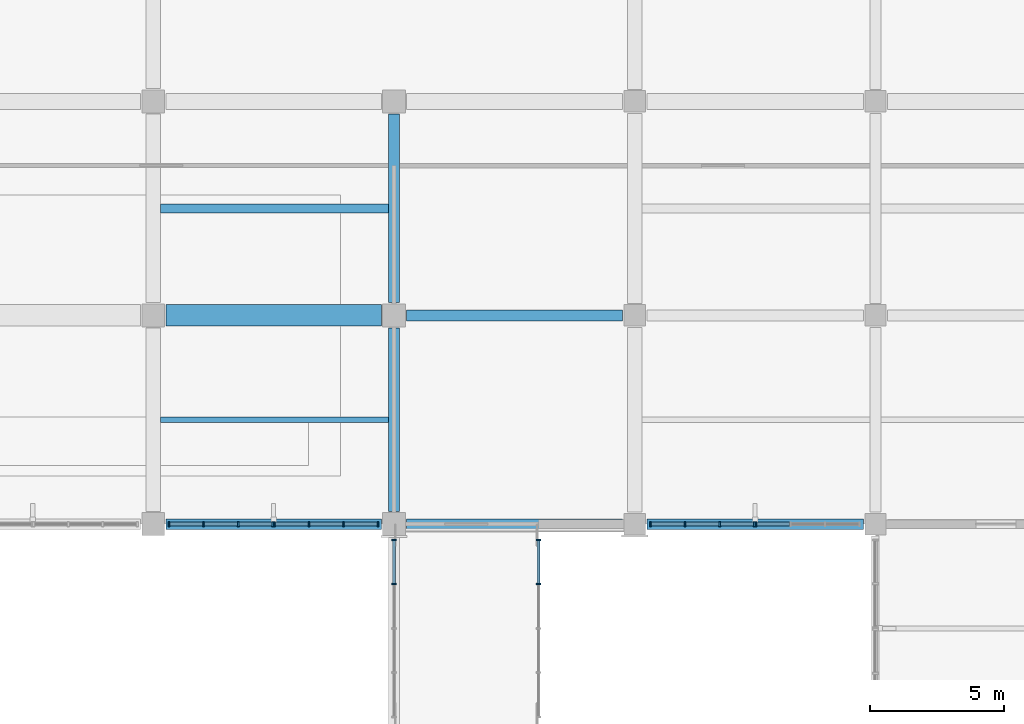
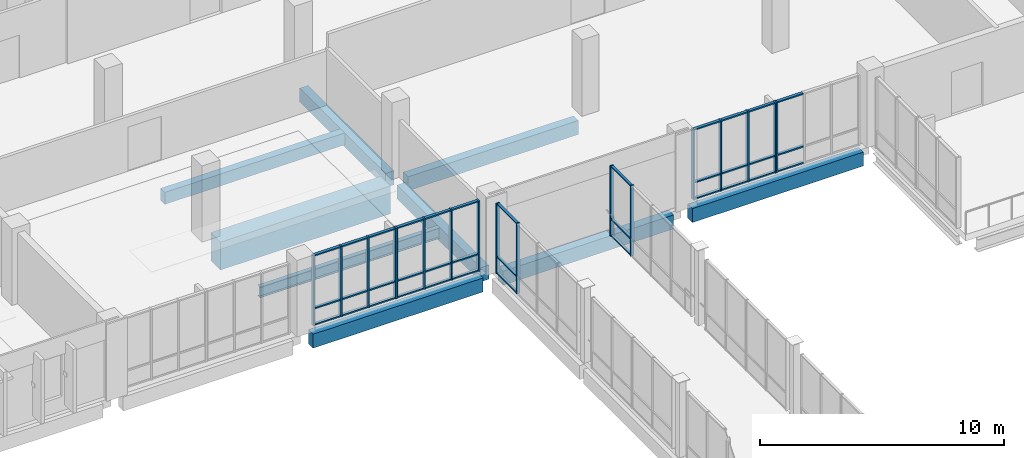
# One storey, part 33 of 85: 53 members, 9 beams, 6 elements without a shape of their own.
"""IFC4 building model written with IfcOpenShell, lengths in metres."""

from ifc_helpers import new_model, si_unit, direction, frame, origin, origin_2d, place, context, subcontext, project, spatial, rectangle, i_section, extrude, material, material_profile, profile_set, type_object, element, aggregate, save


model = new_model("IFC4")

# Units and contexts
model_context = context("Model", 3, precision=1e-05, world=origin(), true_north=direction((0.0, 1.0)))
body_context = subcontext(model_context, "Body", "Model", "MODEL_VIEW")
ifc_project = project(units=[si_unit("LENGTHUNIT", "METRE"), si_unit("AREAUNIT", "SQUARE_METRE"), si_unit("VOLUMEUNIT", "CUBIC_METRE"), si_unit("PLANEANGLEUNIT", "RADIAN"), si_unit("MASSUNIT", "GRAM", prefix="KILO")], contexts=[model_context])

# Site, building, storey
site_placement = place(None, origin())
site = spatial("IfcSite", under=ifc_project, at=site_placement, CompositionType="ELEMENT")
building_placement = place(site_placement, origin())
building = spatial("IfcBuilding", under=site, at=building_placement, Name="Vervanel Yard Central Library", CompositionType="ELEMENT")
storey_placement = place(building_placement, frame((0.0, 0.0, 5.10009765625)))
storey = spatial("IfcBuildingStorey", under=building, at=storey_placement, Name="L01", CompositionType="ELEMENT", Elevation=5.10009765625)

# Curtain wall, members
ifc_material_1 = material(Name="Thermally broken anodized aluminium 6063-T6", Category="aluminium")
curtain_wall_type_1 = type_object("IfcCurtainWallType", Name="Boulevard Cafe & Bridge Curtain Wall", PredefinedType="NOTDEFINED", material=ifc_material_1)
curtain_wall_1_placement = place(storey_placement, origin())
curtain_wall_1 = element("IfcCurtainWall", 1, at=curtain_wall_1_placement, inside=storey, type_object=curtain_wall_type_1, Name="L01 Boulevard Cafe & Bridge Curtain Wall CWR-L01-183", PredefinedType="NOTDEFINED")
ifc_material_profile_1 = material_profile(ifc_material_1, rectangle(XDim=0.06005859375, YDim=0.159912109375, at=origin_2d()), Name="ALU 60x160", Category="aluminium")
ifc_profile_set_1 = profile_set([ifc_material_profile_1], Name="Thermally broken anodized aluminium 6063-T6")
member_type_1 = type_object("IfcMemberType", Name="Bridge & Courtyard Mullion 60x160", PredefinedType="MULLION", material=ifc_profile_set_1)
member_1_placement = place(storey_placement, frame((72.0, 79.955078125, 0.0), z_axis=(0.0, 0.0, 1.0), x_axis=(0.0, 1.0, 0.0)))
member_1 = element("IfcMember", 2, at=member_1_placement, type_object=member_type_1, Name="CWR-L01-183 Mullion 4", PredefinedType="MULLION", context=body_context, shape_type="SweptSolid", body=[
    extrude(rectangle(XDim=0.06005859375, YDim=0.159912109375, at=origin_2d()), origin(), (0.0, 0.0, 1.0), 3.52978515625),
])
member_2_placement = place(storey_placement, frame((72.0, 81.610107421875, 0.0), z_axis=(0.0, 0.0, 1.0), x_axis=(0.0, 1.0, 0.0)))
member_2 = element("IfcMember", 3, at=member_2_placement, type_object=member_type_1, Name="CWR-L01-183 Mullion 5", PredefinedType="MULLION", context=body_context, shape_type="SweptSolid", body=[
    extrude(rectangle(XDim=0.06005859375, YDim=0.159912109375, at=origin_2d()), origin(), (0.0, 0.0, 1.0), 3.52978515625),
])

curtain_wall_2_placement = place(storey_placement, origin())
curtain_wall_2 = element("IfcCurtainWall", 4, at=curtain_wall_2_placement, inside=storey, type_object=curtain_wall_type_1, Name="L01 Boulevard Cafe & Bridge Curtain Wall CWR-L01-191", PredefinedType="NOTDEFINED")
member_3_placement = place(storey_placement, frame((77.39990234375, 79.955078125, 0.0), z_axis=(0.0, 0.0, 1.0), x_axis=(0.0, 1.0, 0.0)))
member_3 = element("IfcMember", 5, at=member_3_placement, type_object=member_type_1, Name="CWR-L01-191 Mullion 4", PredefinedType="MULLION", context=body_context, shape_type="SweptSolid", body=[
    extrude(rectangle(XDim=0.06005859375, YDim=0.159912109375, at=origin_2d()), origin(), (0.0, 0.0, 1.0), 3.52978515625),
])
member_4_placement = place(storey_placement, frame((77.39990234375, 81.610107421875, 0.0), z_axis=(0.0, 0.0, 1.0), x_axis=(0.0, 1.0, 0.0)))
member_4 = element("IfcMember", 6, at=member_4_placement, type_object=member_type_1, Name="CWR-L01-191 Mullion 5", PredefinedType="MULLION", context=body_context, shape_type="SweptSolid", body=[
    extrude(rectangle(XDim=0.06005859375, YDim=0.159912109375, at=origin_2d()), origin(), (0.0, 0.0, 1.0), 3.52978515625),
])

# Member
ifc_material_profile_2 = material_profile(ifc_material_1, rectangle(XDim=0.06005859375, YDim=0.1201171875, at=origin_2d()), Name="ALU 60x120", Category="aluminium")
ifc_profile_set_2 = profile_set([ifc_material_profile_2], Name="Thermally broken anodized aluminium 6063-T6")
member_type_2 = type_object("IfcMemberType", Name="Bridge & Courtyard Transom 60x120", PredefinedType="NOTDEFINED", material=ifc_profile_set_2)
member_5_placement = place(storey_placement, frame((72.0, 79.985107421875, 0.02978515625), z_axis=(0.0, 1.0, 0.0), x_axis=(0.0, 0.0, 1.0)))
member_5 = element("IfcMember", 7, at=member_5_placement, type_object=member_type_2, Name="CWR-L01-183 Transom B4-T1", ObjectType="TRANSOM", PredefinedType="USERDEFINED", context=body_context, shape_type="SweptSolid", body=[
    extrude(rectangle(XDim=0.06005859375, YDim=0.1201171875, at=origin_2d()), origin(), (0.0, 0.0, 1.0), 1.594970703125),
])

member_6_placement = place(storey_placement, frame((72.0, 79.985107421875, 0.849853515625), z_axis=(0.0, 1.0, 0.0), x_axis=(0.0, 0.0, 1.0)))
member_6 = element("IfcMember", 8, at=member_6_placement, type_object=member_type_2, Name="CWR-L01-183 Transom B4-T2", ObjectType="TRANSOM", PredefinedType="USERDEFINED", context=body_context, shape_type="SweptSolid", body=[
    extrude(rectangle(XDim=0.06005859375, YDim=0.1201171875, at=origin_2d()), origin(), (0.0, 0.0, 1.0), 1.594970703125),
])

member_7_placement = place(storey_placement, frame((72.0, 79.985107421875, 3.5), z_axis=(0.0, 1.0, 0.0), x_axis=(0.0, 0.0, 1.0)))
member_7 = element("IfcMember", 9, at=member_7_placement, type_object=member_type_2, Name="CWR-L01-183 Transom B4-T3", ObjectType="TRANSOM", PredefinedType="USERDEFINED", context=body_context, shape_type="SweptSolid", body=[
    extrude(rectangle(XDim=0.06005859375, YDim=0.1201171875, at=origin_2d()), origin(), (0.0, 0.0, 1.0), 1.594970703125),
])

aggregate(curtain_wall_1, [member_1, member_2, member_5, member_6, member_7])

member_8_placement = place(storey_placement, frame((77.39990234375, 79.985107421875, 0.02978515625), z_axis=(0.0, 1.0, 0.0), x_axis=(0.0, 0.0, 1.0)))
member_8 = element("IfcMember", 10, at=member_8_placement, type_object=member_type_2, Name="CWR-L01-191 Transom B4-T1", ObjectType="TRANSOM", PredefinedType="USERDEFINED", context=body_context, shape_type="SweptSolid", body=[
    extrude(rectangle(XDim=0.06005859375, YDim=0.1201171875, at=origin_2d()), origin(), (0.0, 0.0, 1.0), 1.594970703125),
])

member_9_placement = place(storey_placement, frame((77.39990234375, 79.985107421875, 0.849853515625), z_axis=(0.0, 1.0, 0.0), x_axis=(0.0, 0.0, 1.0)))
member_9 = element("IfcMember", 11, at=member_9_placement, type_object=member_type_2, Name="CWR-L01-191 Transom B4-T2", ObjectType="TRANSOM", PredefinedType="USERDEFINED", context=body_context, shape_type="SweptSolid", body=[
    extrude(rectangle(XDim=0.06005859375, YDim=0.1201171875, at=origin_2d()), origin(), (0.0, 0.0, 1.0), 1.594970703125),
])

member_10_placement = place(storey_placement, frame((77.39990234375, 79.985107421875, 3.5), z_axis=(0.0, 1.0, 0.0), x_axis=(0.0, 0.0, 1.0)))
member_10 = element("IfcMember", 12, at=member_10_placement, type_object=member_type_2, Name="CWR-L01-191 Transom B4-T3", ObjectType="TRANSOM", PredefinedType="USERDEFINED", context=body_context, shape_type="SweptSolid", body=[
    extrude(rectangle(XDim=0.06005859375, YDim=0.1201171875, at=origin_2d()), origin(), (0.0, 0.0, 1.0), 1.594970703125),
])

aggregate(curtain_wall_2, [member_3, member_4, member_8, member_9, member_10])

# Beams
ifc_material_2 = material(Name="Concrete C40/50", Category="concrete")
ifc_material_profile_3 = material_profile(ifc_material_2, rectangle(XDim=0.39990234375, YDim=0.699951171875, at=origin_2d()), Name="RC 400x700", Category="concrete")
ifc_profile_set_3 = profile_set([ifc_material_profile_3], Name="Concrete C40/50")
beam_type_1 = type_object("IfcBeamType", Name="Concrete Perimeter Spandrel 400x700", PredefinedType="SPANDREL", material=ifc_profile_set_3)
beam_1_placement = place(storey_placement, frame((63.47509765625, 82.199951171875, -0.655029296875), z_axis=(1.0, 0.0, 0.0), x_axis=(0.0, 1.0, 0.0)))
element("IfcBeam", 13, at=beam_1_placement, inside=storey, type_object=beam_type_1, Name="L01 Girder SP-01 Y=82.2 X=63.0-72.0", PredefinedType="SPANDREL", context=body_context, shape_type="SweptSolid", body=[
    extrude(rectangle(XDim=0.39990234375, YDim=0.699951171875, at=origin_2d()), origin(), (0.0, 0.0, 1.0), 8.0498046875),
])
beam_2_placement = place(storey_placement, frame((72.47509765625, 82.199951171875, -0.655029296875), z_axis=(1.0, 0.0, 0.0), x_axis=(0.0, 1.0, 0.0)))
element("IfcBeam", 14, at=beam_2_placement, inside=storey, type_object=beam_type_1, Name="L01 Girder SP-01 Y=82.2 X=72.0-81.0", PredefinedType="SPANDREL", context=body_context, shape_type="SweptSolid", body=[
    extrude(rectangle(XDim=0.39990234375, YDim=0.699951171875, at=origin_2d()), origin(), (0.0, 0.0, 1.0), 8.074951171875),
])
beam_3_placement = place(storey_placement, frame((81.449951171875, 82.199951171875, -0.655029296875), z_axis=(1.0, 0.0, 0.0), x_axis=(0.0, 1.0, 0.0)))
element("IfcBeam", 15, at=beam_3_placement, inside=storey, type_object=beam_type_1, Name="L01 Girder SP-01 Y=82.2 X=81.0-90.0", PredefinedType="SPANDREL", context=body_context, shape_type="SweptSolid", body=[
    extrude(rectangle(XDim=0.39990234375, YDim=0.699951171875, at=origin_2d()), origin(), (0.0, 0.0, 1.0), 8.10009765625),
])
beam_4_placement = place(storey_placement, frame((72.47509765625, 90.0, -0.655029296875), z_axis=(1.0, 0.0, 0.0), x_axis=(0.0, 1.0, 0.0)))
element("IfcBeam", 16, at=beam_4_placement, inside=storey, type_object=beam_type_1, Name="L01 Girder SP-01 Y=90.0 X=72.0-81.0", PredefinedType="SPANDREL", context=body_context, shape_type="SweptSolid", body=[
    extrude(rectangle(XDim=0.39990234375, YDim=0.699951171875, at=origin_2d()), origin(), (0.0, 0.0, 1.0), 8.074951171875),
])
beam_5_placement = place(storey_placement, frame((72.0, 82.675048828125, -0.655029296875), z_axis=(0.0, 1.0, 0.0), x_axis=(-1.0, 0.0, 0.0)))
element("IfcBeam", 17, at=beam_5_placement, inside=storey, type_object=beam_type_1, Name="L01 Girder SP-01 X=72.0 Y=82.2-90.0", PredefinedType="SPANDREL", context=body_context, shape_type="SweptSolid", body=[
    extrude(rectangle(XDim=0.39990234375, YDim=0.699951171875, at=origin_2d()), origin(), (0.0, 0.0, 1.0), 6.849853515625),
])
beam_6_placement = place(storey_placement, frame((72.0, 90.47509765625, -0.655029296875), z_axis=(0.0, 1.0, 0.0), x_axis=(-1.0, 0.0, 0.0)))
element("IfcBeam", 18, at=beam_6_placement, inside=storey, type_object=beam_type_1, Name="L01 Girder SP-01 X=72.0 Y=90.0-98.0", PredefinedType="SPANDREL", context=body_context, shape_type="SweptSolid", body=[
    extrude(rectangle(XDim=0.39990234375, YDim=0.699951171875, at=origin_2d()), origin(), (0.0, 0.0, 1.0), 7.0498046875),
])
ifc_material_profile_4 = material_profile(ifc_material_2, rectangle(XDim=0.35009765625, YDim=0.60009765625, at=origin_2d()), Name="RC 350x600", Category="concrete")
ifc_profile_set_4 = profile_set([ifc_material_profile_4], Name="Concrete C40/50")
beam_type_2 = type_object("IfcBeamType", Name="Concrete Secondary Joist 350x600", PredefinedType="JOIST", material=ifc_profile_set_4)
beam_7_placement = place(storey_placement, frame((63.27490234375, 94.0, -0.60498046875), z_axis=(1.0, 0.0, 0.0), x_axis=(0.0, 1.0, 0.0)))
element("IfcBeam", 19, at=beam_7_placement, inside=storey, type_object=beam_type_2, Name="L01 Floor Joist CJ-01 Y=94.00 X=63.0-72.0", PredefinedType="JOIST", context=body_context, shape_type="SweptSolid", body=[
    extrude(rectangle(XDim=0.35009765625, YDim=0.60009765625, at=origin_2d()), origin(), (0.0, 0.0, 1.0), 8.525146484375),
])
ifc_material_3 = material(Name="Concrete C45/55", Category="concrete")
ifc_material_profile_5 = material_profile(ifc_material_3, rectangle(XDim=0.800048828125, YDim=1.39990234375, at=origin_2d()), Name="RC 800x1400", Category="concrete")
ifc_profile_set_5 = profile_set([ifc_material_profile_5], Name="Concrete C45/55")
beam_type_3 = type_object("IfcBeamType", Name="Concrete Vault Transfer Girder 800x1400", PredefinedType="BEAM", material=ifc_profile_set_5)
beam_8_placement = place(storey_placement, frame((63.47509765625, 90.0, -1.0), z_axis=(1.0, 0.0, 0.0), x_axis=(0.0, 1.0, 0.0)))
element("IfcBeam", 20, at=beam_8_placement, inside=storey, type_object=beam_type_3, Name="L01 Heavy Stack Girder TG-02-3", PredefinedType="BEAM", context=body_context, shape_type="SweptSolid", body=[
    extrude(rectangle(XDim=0.800048828125, YDim=1.39990234375, at=origin_2d()), origin(), (0.0, 0.0, 1.0), 8.0498046875),
])

# Curtain wall, members
curtain_wall_type_2 = type_object("IfcCurtainWallType", Name="Atrium Courtyard Curtain Wall", PredefinedType="NOTDEFINED", material=ifc_material_1)
curtain_wall_3_placement = place(storey_placement, origin())
curtain_wall_3 = element("IfcCurtainWall", 21, at=curtain_wall_3_placement, inside=storey, type_object=curtain_wall_type_2, Name="L01 Atrium Courtyard Curtain Wall CWR-L01-003", PredefinedType="NOTDEFINED")
ifc_material_profile_6 = material_profile(ifc_material_1, rectangle(XDim=0.06494140625, YDim=0.18994140625, at=origin_2d()), Name="ALU 65x190", Category="aluminium")
ifc_profile_set_6 = profile_set([ifc_material_profile_6], Name="Thermally broken anodized aluminium 6063-T6")
member_type_3 = type_object("IfcMemberType", Name="Curtain Wall Primary Mullion 65x190", PredefinedType="MULLION", material=ifc_profile_set_6)
member_11_placement = place(storey_placement, frame((63.592529296875, 82.199951171875, 0.0), z_axis=(0.0, 0.0, 1.0), x_axis=(1.0, 0.0, 0.0)))
member_11 = element("IfcMember", 22, at=member_11_placement, type_object=member_type_3, Name="CWR-L01-003 Mullion 1", PredefinedType="MULLION", context=body_context, shape_type="SweptSolid", body=[
    extrude(rectangle(XDim=0.06494140625, YDim=0.18994140625, at=origin_2d()), origin(), (0.0, 0.0, 1.0), 3.52978515625),
])
member_12_placement = place(storey_placement, frame((64.88427734375, 82.199951171875, 0.0), z_axis=(0.0, 0.0, 1.0), x_axis=(1.0, 0.0, 0.0)))
member_12 = element("IfcMember", 23, at=member_12_placement, type_object=member_type_3, Name="CWR-L01-003 Mullion 2", PredefinedType="MULLION", context=body_context, shape_type="SweptSolid", body=[
    extrude(rectangle(XDim=0.06494140625, YDim=0.18994140625, at=origin_2d()), origin(), (0.0, 0.0, 1.0), 3.52978515625),
])
member_13_placement = place(storey_placement, frame((66.17578125, 82.199951171875, 0.0), z_axis=(0.0, 0.0, 1.0), x_axis=(1.0, 0.0, 0.0)))
member_13 = element("IfcMember", 24, at=member_13_placement, type_object=member_type_3, Name="CWR-L01-003 Mullion 3", PredefinedType="MULLION", context=body_context, shape_type="SweptSolid", body=[
    extrude(rectangle(XDim=0.06494140625, YDim=0.18994140625, at=origin_2d()), origin(), (0.0, 0.0, 1.0), 3.52978515625),
])
member_14_placement = place(storey_placement, frame((67.467529296875, 82.199951171875, 0.0), z_axis=(0.0, 0.0, 1.0), x_axis=(1.0, 0.0, 0.0)))
member_14 = element("IfcMember", 25, at=member_14_placement, type_object=member_type_3, Name="CWR-L01-003 Mullion 4", PredefinedType="MULLION", context=body_context, shape_type="SweptSolid", body=[
    extrude(rectangle(XDim=0.06494140625, YDim=0.18994140625, at=origin_2d()), origin(), (0.0, 0.0, 1.0), 3.52978515625),
])

curtain_wall_4_placement = place(storey_placement, origin())
curtain_wall_4 = element("IfcCurtainWall", 26, at=curtain_wall_4_placement, inside=storey, type_object=curtain_wall_type_2, Name="L01 Atrium Courtyard Curtain Wall CWR-L01-004", PredefinedType="NOTDEFINED")
member_15_placement = place(storey_placement, frame((67.532470703125, 82.199951171875, 0.0), z_axis=(0.0, 0.0, 1.0), x_axis=(1.0, 0.0, 0.0)))
member_15 = element("IfcMember", 27, at=member_15_placement, type_object=member_type_3, Name="CWR-L01-004 Mullion 1", PredefinedType="MULLION", context=body_context, shape_type="SweptSolid", body=[
    extrude(rectangle(XDim=0.06494140625, YDim=0.18994140625, at=origin_2d()), origin(), (0.0, 0.0, 1.0), 3.52978515625),
])
member_16_placement = place(storey_placement, frame((68.82421875, 82.199951171875, 0.0), z_axis=(0.0, 0.0, 1.0), x_axis=(1.0, 0.0, 0.0)))
member_16 = element("IfcMember", 28, at=member_16_placement, type_object=member_type_3, Name="CWR-L01-004 Mullion 2", PredefinedType="MULLION", context=body_context, shape_type="SweptSolid", body=[
    extrude(rectangle(XDim=0.06494140625, YDim=0.18994140625, at=origin_2d()), origin(), (0.0, 0.0, 1.0), 3.52978515625),
])
member_17_placement = place(storey_placement, frame((70.11572265625, 82.199951171875, 0.0), z_axis=(0.0, 0.0, 1.0), x_axis=(1.0, 0.0, 0.0)))
member_17 = element("IfcMember", 29, at=member_17_placement, type_object=member_type_3, Name="CWR-L01-004 Mullion 3", PredefinedType="MULLION", context=body_context, shape_type="SweptSolid", body=[
    extrude(rectangle(XDim=0.06494140625, YDim=0.18994140625, at=origin_2d()), origin(), (0.0, 0.0, 1.0), 3.52978515625),
])
member_18_placement = place(storey_placement, frame((71.407470703125, 82.199951171875, 0.0), z_axis=(0.0, 0.0, 1.0), x_axis=(1.0, 0.0, 0.0)))
member_18 = element("IfcMember", 30, at=member_18_placement, type_object=member_type_3, Name="CWR-L01-004 Mullion 4", PredefinedType="MULLION", context=body_context, shape_type="SweptSolid", body=[
    extrude(rectangle(XDim=0.06494140625, YDim=0.18994140625, at=origin_2d()), origin(), (0.0, 0.0, 1.0), 3.52978515625),
])

curtain_wall_5_placement = place(storey_placement, origin())
curtain_wall_5 = element("IfcCurtainWall", 31, at=curtain_wall_5_placement, inside=storey, type_object=curtain_wall_type_2, Name="L01 Atrium Courtyard Curtain Wall CWR-L01-005", PredefinedType="NOTDEFINED")
member_19_placement = place(storey_placement, frame((81.592529296875, 82.199951171875, 0.0), z_axis=(0.0, 0.0, 1.0), x_axis=(1.0, 0.0, 0.0)))
member_19 = element("IfcMember", 32, at=member_19_placement, type_object=member_type_3, Name="CWR-L01-005 Mullion 1", PredefinedType="MULLION", context=body_context, shape_type="SweptSolid", body=[
    extrude(rectangle(XDim=0.06494140625, YDim=0.18994140625, at=origin_2d()), origin(), (0.0, 0.0, 1.0), 3.52978515625),
])
member_20_placement = place(storey_placement, frame((82.88427734375, 82.199951171875, 0.0), z_axis=(0.0, 0.0, 1.0), x_axis=(1.0, 0.0, 0.0)))
member_20 = element("IfcMember", 33, at=member_20_placement, type_object=member_type_3, Name="CWR-L01-005 Mullion 2", PredefinedType="MULLION", context=body_context, shape_type="SweptSolid", body=[
    extrude(rectangle(XDim=0.06494140625, YDim=0.18994140625, at=origin_2d()), origin(), (0.0, 0.0, 1.0), 3.52978515625),
])
member_21_placement = place(storey_placement, frame((84.17578125, 82.199951171875, 0.0), z_axis=(0.0, 0.0, 1.0), x_axis=(1.0, 0.0, 0.0)))
member_21 = element("IfcMember", 34, at=member_21_placement, type_object=member_type_3, Name="CWR-L01-005 Mullion 3", PredefinedType="MULLION", context=body_context, shape_type="SweptSolid", body=[
    extrude(rectangle(XDim=0.06494140625, YDim=0.18994140625, at=origin_2d()), origin(), (0.0, 0.0, 1.0), 3.52978515625),
])
member_22_placement = place(storey_placement, frame((85.467529296875, 82.199951171875, 0.0), z_axis=(0.0, 0.0, 1.0), x_axis=(1.0, 0.0, 0.0)))
member_22 = element("IfcMember", 35, at=member_22_placement, type_object=member_type_3, Name="CWR-L01-005 Mullion 4", PredefinedType="MULLION", context=body_context, shape_type="SweptSolid", body=[
    extrude(rectangle(XDim=0.06494140625, YDim=0.18994140625, at=origin_2d()), origin(), (0.0, 0.0, 1.0), 3.52978515625),
])

# Curtain wall, member
curtain_wall_6_placement = place(storey_placement, origin())
curtain_wall_6 = element("IfcCurtainWall", 36, at=curtain_wall_6_placement, inside=storey, type_object=curtain_wall_type_2, Name="L01 Atrium Courtyard Curtain Wall CWR-L01-006", PredefinedType="NOTDEFINED")
member_23_placement = place(storey_placement, frame((85.532470703125, 82.199951171875, 0.0), z_axis=(0.0, 0.0, 1.0), x_axis=(1.0, 0.0, 0.0)))
member_23 = element("IfcMember", 37, at=member_23_placement, type_object=member_type_3, Name="CWR-L01-006 Mullion 1", PredefinedType="MULLION", context=body_context, shape_type="SweptSolid", body=[
    extrude(rectangle(XDim=0.06494140625, YDim=0.18994140625, at=origin_2d()), origin(), (0.0, 0.0, 1.0), 3.52978515625),
])

# Member
ifc_material_profile_7 = material_profile(ifc_material_1, rectangle(XDim=0.06494140625, YDim=0.139892578125, at=origin_2d()), Name="ALU 65x140", Category="aluminium")
ifc_profile_set_7 = profile_set([ifc_material_profile_7], Name="Thermally broken anodized aluminium 6063-T6")
member_type_4 = type_object("IfcMemberType", Name="Curtain Wall Transom 65x140", PredefinedType="NOTDEFINED", material=ifc_profile_set_7)
member_24_placement = place(storey_placement, frame((63.625, 82.199951171875, 0.032470703125), z_axis=(1.0, 0.0, 0.0), x_axis=(0.0, 0.0, 1.0)))
member_24 = element("IfcMember", 38, at=member_24_placement, type_object=member_type_4, Name="CWR-L01-003 Transom B1-T1", ObjectType="TRANSOM", PredefinedType="USERDEFINED", context=body_context, shape_type="SweptSolid", body=[
    extrude(rectangle(XDim=0.06494140625, YDim=0.139892578125, at=origin_2d()), origin(), (0.0, 0.0, 1.0), 1.2265625),
])

member_25_placement = place(storey_placement, frame((63.625, 82.199951171875, 0.849853515625), z_axis=(1.0, 0.0, 0.0), x_axis=(0.0, 0.0, 1.0)))
member_25 = element("IfcMember", 39, at=member_25_placement, type_object=member_type_4, Name="CWR-L01-003 Transom B1-T2", ObjectType="TRANSOM", PredefinedType="USERDEFINED", context=body_context, shape_type="SweptSolid", body=[
    extrude(rectangle(XDim=0.06494140625, YDim=0.139892578125, at=origin_2d()), origin(), (0.0, 0.0, 1.0), 1.2265625),
])

member_26_placement = place(storey_placement, frame((63.625, 82.199951171875, 3.497314453125), z_axis=(1.0, 0.0, 0.0), x_axis=(0.0, 0.0, 1.0)))
member_26 = element("IfcMember", 40, at=member_26_placement, type_object=member_type_4, Name="CWR-L01-003 Transom B1-T3", ObjectType="TRANSOM", PredefinedType="USERDEFINED", context=body_context, shape_type="SweptSolid", body=[
    extrude(rectangle(XDim=0.06494140625, YDim=0.139892578125, at=origin_2d()), origin(), (0.0, 0.0, 1.0), 1.2265625),
])

member_27_placement = place(storey_placement, frame((64.916748046875, 82.199951171875, 0.032470703125), z_axis=(1.0, 0.0, 0.0), x_axis=(0.0, 0.0, 1.0)))
member_27 = element("IfcMember", 41, at=member_27_placement, type_object=member_type_4, Name="CWR-L01-003 Transom B2-T1", ObjectType="TRANSOM", PredefinedType="USERDEFINED", context=body_context, shape_type="SweptSolid", body=[
    extrude(rectangle(XDim=0.06494140625, YDim=0.139892578125, at=origin_2d()), origin(), (0.0, 0.0, 1.0), 1.2265625),
])

member_28_placement = place(storey_placement, frame((64.916748046875, 82.199951171875, 0.849853515625), z_axis=(1.0, 0.0, 0.0), x_axis=(0.0, 0.0, 1.0)))
member_28 = element("IfcMember", 42, at=member_28_placement, type_object=member_type_4, Name="CWR-L01-003 Transom B2-T2", ObjectType="TRANSOM", PredefinedType="USERDEFINED", context=body_context, shape_type="SweptSolid", body=[
    extrude(rectangle(XDim=0.06494140625, YDim=0.139892578125, at=origin_2d()), origin(), (0.0, 0.0, 1.0), 1.2265625),
])

member_29_placement = place(storey_placement, frame((64.916748046875, 82.199951171875, 3.497314453125), z_axis=(1.0, 0.0, 0.0), x_axis=(0.0, 0.0, 1.0)))
member_29 = element("IfcMember", 43, at=member_29_placement, type_object=member_type_4, Name="CWR-L01-003 Transom B2-T3", ObjectType="TRANSOM", PredefinedType="USERDEFINED", context=body_context, shape_type="SweptSolid", body=[
    extrude(rectangle(XDim=0.06494140625, YDim=0.139892578125, at=origin_2d()), origin(), (0.0, 0.0, 1.0), 1.2265625),
])

member_30_placement = place(storey_placement, frame((66.208251953125, 82.199951171875, 0.032470703125), z_axis=(1.0, 0.0, 0.0), x_axis=(0.0, 0.0, 1.0)))
member_30 = element("IfcMember", 44, at=member_30_placement, type_object=member_type_4, Name="CWR-L01-003 Transom B3-T1", ObjectType="TRANSOM", PredefinedType="USERDEFINED", context=body_context, shape_type="SweptSolid", body=[
    extrude(rectangle(XDim=0.06494140625, YDim=0.139892578125, at=origin_2d()), origin(), (0.0, 0.0, 1.0), 1.226806640625),
])

member_31_placement = place(storey_placement, frame((66.208251953125, 82.199951171875, 0.849853515625), z_axis=(1.0, 0.0, 0.0), x_axis=(0.0, 0.0, 1.0)))
member_31 = element("IfcMember", 45, at=member_31_placement, type_object=member_type_4, Name="CWR-L01-003 Transom B3-T2", ObjectType="TRANSOM", PredefinedType="USERDEFINED", context=body_context, shape_type="SweptSolid", body=[
    extrude(rectangle(XDim=0.06494140625, YDim=0.139892578125, at=origin_2d()), origin(), (0.0, 0.0, 1.0), 1.226806640625),
])

member_32_placement = place(storey_placement, frame((66.208251953125, 82.199951171875, 3.497314453125), z_axis=(1.0, 0.0, 0.0), x_axis=(0.0, 0.0, 1.0)))
member_32 = element("IfcMember", 46, at=member_32_placement, type_object=member_type_4, Name="CWR-L01-003 Transom B3-T3", ObjectType="TRANSOM", PredefinedType="USERDEFINED", context=body_context, shape_type="SweptSolid", body=[
    extrude(rectangle(XDim=0.06494140625, YDim=0.139892578125, at=origin_2d()), origin(), (0.0, 0.0, 1.0), 1.226806640625),
])

aggregate(curtain_wall_3, [member_11, member_12, member_13, member_14, member_24, member_25, member_26, member_27, member_28, member_29, member_30, member_31, member_32])

member_33_placement = place(storey_placement, frame((67.56494140625, 82.199951171875, 0.032470703125), z_axis=(1.0, 0.0, 0.0), x_axis=(0.0, 0.0, 1.0)))
member_33 = element("IfcMember", 47, at=member_33_placement, type_object=member_type_4, Name="CWR-L01-004 Transom B1-T1", ObjectType="TRANSOM", PredefinedType="USERDEFINED", context=body_context, shape_type="SweptSolid", body=[
    extrude(rectangle(XDim=0.06494140625, YDim=0.139892578125, at=origin_2d()), origin(), (0.0, 0.0, 1.0), 1.226806640625),
])

member_34_placement = place(storey_placement, frame((67.56494140625, 82.199951171875, 0.849853515625), z_axis=(1.0, 0.0, 0.0), x_axis=(0.0, 0.0, 1.0)))
member_34 = element("IfcMember", 48, at=member_34_placement, type_object=member_type_4, Name="CWR-L01-004 Transom B1-T2", ObjectType="TRANSOM", PredefinedType="USERDEFINED", context=body_context, shape_type="SweptSolid", body=[
    extrude(rectangle(XDim=0.06494140625, YDim=0.139892578125, at=origin_2d()), origin(), (0.0, 0.0, 1.0), 1.226806640625),
])

member_35_placement = place(storey_placement, frame((67.56494140625, 82.199951171875, 3.497314453125), z_axis=(1.0, 0.0, 0.0), x_axis=(0.0, 0.0, 1.0)))
member_35 = element("IfcMember", 49, at=member_35_placement, type_object=member_type_4, Name="CWR-L01-004 Transom B1-T3", ObjectType="TRANSOM", PredefinedType="USERDEFINED", context=body_context, shape_type="SweptSolid", body=[
    extrude(rectangle(XDim=0.06494140625, YDim=0.139892578125, at=origin_2d()), origin(), (0.0, 0.0, 1.0), 1.226806640625),
])

member_36_placement = place(storey_placement, frame((68.856689453125, 82.199951171875, 0.032470703125), z_axis=(1.0, 0.0, 0.0), x_axis=(0.0, 0.0, 1.0)))
member_36 = element("IfcMember", 50, at=member_36_placement, type_object=member_type_4, Name="CWR-L01-004 Transom B2-T1", ObjectType="TRANSOM", PredefinedType="USERDEFINED", context=body_context, shape_type="SweptSolid", body=[
    extrude(rectangle(XDim=0.06494140625, YDim=0.139892578125, at=origin_2d()), origin(), (0.0, 0.0, 1.0), 1.2265625),
])

member_37_placement = place(storey_placement, frame((68.856689453125, 82.199951171875, 0.849853515625), z_axis=(1.0, 0.0, 0.0), x_axis=(0.0, 0.0, 1.0)))
member_37 = element("IfcMember", 51, at=member_37_placement, type_object=member_type_4, Name="CWR-L01-004 Transom B2-T2", ObjectType="TRANSOM", PredefinedType="USERDEFINED", context=body_context, shape_type="SweptSolid", body=[
    extrude(rectangle(XDim=0.06494140625, YDim=0.139892578125, at=origin_2d()), origin(), (0.0, 0.0, 1.0), 1.2265625),
])

member_38_placement = place(storey_placement, frame((68.856689453125, 82.199951171875, 3.497314453125), z_axis=(1.0, 0.0, 0.0), x_axis=(0.0, 0.0, 1.0)))
member_38 = element("IfcMember", 52, at=member_38_placement, type_object=member_type_4, Name="CWR-L01-004 Transom B2-T3", ObjectType="TRANSOM", PredefinedType="USERDEFINED", context=body_context, shape_type="SweptSolid", body=[
    extrude(rectangle(XDim=0.06494140625, YDim=0.139892578125, at=origin_2d()), origin(), (0.0, 0.0, 1.0), 1.2265625),
])

member_39_placement = place(storey_placement, frame((70.1484375, 82.199951171875, 0.032470703125), z_axis=(1.0, 0.0, 0.0), x_axis=(0.0, 0.0, 1.0)))
member_39 = element("IfcMember", 53, at=member_39_placement, type_object=member_type_4, Name="CWR-L01-004 Transom B3-T1", ObjectType="TRANSOM", PredefinedType="USERDEFINED", context=body_context, shape_type="SweptSolid", body=[
    extrude(rectangle(XDim=0.06494140625, YDim=0.139892578125, at=origin_2d()), origin(), (0.0, 0.0, 1.0), 1.2265625),
])

member_40_placement = place(storey_placement, frame((70.1484375, 82.199951171875, 0.849853515625), z_axis=(1.0, 0.0, 0.0), x_axis=(0.0, 0.0, 1.0)))
member_40 = element("IfcMember", 54, at=member_40_placement, type_object=member_type_4, Name="CWR-L01-004 Transom B3-T2", ObjectType="TRANSOM", PredefinedType="USERDEFINED", context=body_context, shape_type="SweptSolid", body=[
    extrude(rectangle(XDim=0.06494140625, YDim=0.139892578125, at=origin_2d()), origin(), (0.0, 0.0, 1.0), 1.2265625),
])

member_41_placement = place(storey_placement, frame((70.1484375, 82.199951171875, 3.497314453125), z_axis=(1.0, 0.0, 0.0), x_axis=(0.0, 0.0, 1.0)))
member_41 = element("IfcMember", 55, at=member_41_placement, type_object=member_type_4, Name="CWR-L01-004 Transom B3-T3", ObjectType="TRANSOM", PredefinedType="USERDEFINED", context=body_context, shape_type="SweptSolid", body=[
    extrude(rectangle(XDim=0.06494140625, YDim=0.139892578125, at=origin_2d()), origin(), (0.0, 0.0, 1.0), 1.2265625),
])

aggregate(curtain_wall_4, [member_15, member_16, member_17, member_18, member_33, member_34, member_35, member_36, member_37, member_38, member_39, member_40, member_41])

member_42_placement = place(storey_placement, frame((81.625, 82.199951171875, 0.032470703125), z_axis=(1.0, 0.0, 0.0), x_axis=(0.0, 0.0, 1.0)))
member_42 = element("IfcMember", 56, at=member_42_placement, type_object=member_type_4, Name="CWR-L01-005 Transom B1-T1", ObjectType="TRANSOM", PredefinedType="USERDEFINED", context=body_context, shape_type="SweptSolid", body=[
    extrude(rectangle(XDim=0.06494140625, YDim=0.139892578125, at=origin_2d()), origin(), (0.0, 0.0, 1.0), 1.2265625),
])

member_43_placement = place(storey_placement, frame((81.625, 82.199951171875, 0.849853515625), z_axis=(1.0, 0.0, 0.0), x_axis=(0.0, 0.0, 1.0)))
member_43 = element("IfcMember", 57, at=member_43_placement, type_object=member_type_4, Name="CWR-L01-005 Transom B1-T2", ObjectType="TRANSOM", PredefinedType="USERDEFINED", context=body_context, shape_type="SweptSolid", body=[
    extrude(rectangle(XDim=0.06494140625, YDim=0.139892578125, at=origin_2d()), origin(), (0.0, 0.0, 1.0), 1.2265625),
])

member_44_placement = place(storey_placement, frame((81.625, 82.199951171875, 3.497314453125), z_axis=(1.0, 0.0, 0.0), x_axis=(0.0, 0.0, 1.0)))
member_44 = element("IfcMember", 58, at=member_44_placement, type_object=member_type_4, Name="CWR-L01-005 Transom B1-T3", ObjectType="TRANSOM", PredefinedType="USERDEFINED", context=body_context, shape_type="SweptSolid", body=[
    extrude(rectangle(XDim=0.06494140625, YDim=0.139892578125, at=origin_2d()), origin(), (0.0, 0.0, 1.0), 1.2265625),
])

member_45_placement = place(storey_placement, frame((82.916748046875, 82.199951171875, 0.032470703125), z_axis=(1.0, 0.0, 0.0), x_axis=(0.0, 0.0, 1.0)))
member_45 = element("IfcMember", 59, at=member_45_placement, type_object=member_type_4, Name="CWR-L01-005 Transom B2-T1", ObjectType="TRANSOM", PredefinedType="USERDEFINED", context=body_context, shape_type="SweptSolid", body=[
    extrude(rectangle(XDim=0.06494140625, YDim=0.139892578125, at=origin_2d()), origin(), (0.0, 0.0, 1.0), 1.2265625),
])

member_46_placement = place(storey_placement, frame((82.916748046875, 82.199951171875, 0.849853515625), z_axis=(1.0, 0.0, 0.0), x_axis=(0.0, 0.0, 1.0)))
member_46 = element("IfcMember", 60, at=member_46_placement, type_object=member_type_4, Name="CWR-L01-005 Transom B2-T2", ObjectType="TRANSOM", PredefinedType="USERDEFINED", context=body_context, shape_type="SweptSolid", body=[
    extrude(rectangle(XDim=0.06494140625, YDim=0.139892578125, at=origin_2d()), origin(), (0.0, 0.0, 1.0), 1.2265625),
])

member_47_placement = place(storey_placement, frame((82.916748046875, 82.199951171875, 3.497314453125), z_axis=(1.0, 0.0, 0.0), x_axis=(0.0, 0.0, 1.0)))
member_47 = element("IfcMember", 61, at=member_47_placement, type_object=member_type_4, Name="CWR-L01-005 Transom B2-T3", ObjectType="TRANSOM", PredefinedType="USERDEFINED", context=body_context, shape_type="SweptSolid", body=[
    extrude(rectangle(XDim=0.06494140625, YDim=0.139892578125, at=origin_2d()), origin(), (0.0, 0.0, 1.0), 1.2265625),
])

member_48_placement = place(storey_placement, frame((84.208251953125, 82.199951171875, 0.032470703125), z_axis=(1.0, 0.0, 0.0), x_axis=(0.0, 0.0, 1.0)))
member_48 = element("IfcMember", 62, at=member_48_placement, type_object=member_type_4, Name="CWR-L01-005 Transom B3-T1", ObjectType="TRANSOM", PredefinedType="USERDEFINED", context=body_context, shape_type="SweptSolid", body=[
    extrude(rectangle(XDim=0.06494140625, YDim=0.139892578125, at=origin_2d()), origin(), (0.0, 0.0, 1.0), 1.226806640625),
])

member_49_placement = place(storey_placement, frame((84.208251953125, 82.199951171875, 0.849853515625), z_axis=(1.0, 0.0, 0.0), x_axis=(0.0, 0.0, 1.0)))
member_49 = element("IfcMember", 63, at=member_49_placement, type_object=member_type_4, Name="CWR-L01-005 Transom B3-T2", ObjectType="TRANSOM", PredefinedType="USERDEFINED", context=body_context, shape_type="SweptSolid", body=[
    extrude(rectangle(XDim=0.06494140625, YDim=0.139892578125, at=origin_2d()), origin(), (0.0, 0.0, 1.0), 1.226806640625),
])

member_50_placement = place(storey_placement, frame((84.208251953125, 82.199951171875, 3.497314453125), z_axis=(1.0, 0.0, 0.0), x_axis=(0.0, 0.0, 1.0)))
member_50 = element("IfcMember", 64, at=member_50_placement, type_object=member_type_4, Name="CWR-L01-005 Transom B3-T3", ObjectType="TRANSOM", PredefinedType="USERDEFINED", context=body_context, shape_type="SweptSolid", body=[
    extrude(rectangle(XDim=0.06494140625, YDim=0.139892578125, at=origin_2d()), origin(), (0.0, 0.0, 1.0), 1.226806640625),
])

aggregate(curtain_wall_5, [member_19, member_20, member_21, member_22, member_42, member_43, member_44, member_45, member_46, member_47, member_48, member_49, member_50])

member_51_placement = place(storey_placement, frame((85.56494140625, 82.199951171875, 0.032470703125), z_axis=(1.0, 0.0, 0.0), x_axis=(0.0, 0.0, 1.0)))
member_51 = element("IfcMember", 65, at=member_51_placement, type_object=member_type_4, Name="CWR-L01-006 Transom B1-T1", ObjectType="TRANSOM", PredefinedType="USERDEFINED", context=body_context, shape_type="SweptSolid", body=[
    extrude(rectangle(XDim=0.06494140625, YDim=0.139892578125, at=origin_2d()), origin(), (0.0, 0.0, 1.0), 1.226806640625),
])

member_52_placement = place(storey_placement, frame((85.56494140625, 82.199951171875, 0.849853515625), z_axis=(1.0, 0.0, 0.0), x_axis=(0.0, 0.0, 1.0)))
member_52 = element("IfcMember", 66, at=member_52_placement, type_object=member_type_4, Name="CWR-L01-006 Transom B1-T2", ObjectType="TRANSOM", PredefinedType="USERDEFINED", context=body_context, shape_type="SweptSolid", body=[
    extrude(rectangle(XDim=0.06494140625, YDim=0.139892578125, at=origin_2d()), origin(), (0.0, 0.0, 1.0), 1.226806640625),
])

member_53_placement = place(storey_placement, frame((85.56494140625, 82.199951171875, 3.497314453125), z_axis=(1.0, 0.0, 0.0), x_axis=(0.0, 0.0, 1.0)))
member_53 = element("IfcMember", 67, at=member_53_placement, type_object=member_type_4, Name="CWR-L01-006 Transom B1-T3", ObjectType="TRANSOM", PredefinedType="USERDEFINED", context=body_context, shape_type="SweptSolid", body=[
    extrude(rectangle(XDim=0.06494140625, YDim=0.139892578125, at=origin_2d()), origin(), (0.0, 0.0, 1.0), 1.226806640625),
])

aggregate(curtain_wall_6, [member_23, member_51, member_52, member_53])

# Beam
ifc_material_4 = material(Name="Steel ASTM A992 Grade 50", Category="steel")
ifc_material_profile_8 = material_profile(ifc_material_4, i_section(OverallWidth=0.2099609375, OverallDepth=0.535888671875, WebThickness=0.010986328125, FlangeThickness=0.017333984375, at=origin_2d()), Name="W21X68", Category="steel")
ifc_profile_set_8 = profile_set([ifc_material_profile_8], Name="Steel ASTM A992 Grade 50")
beam_type_4 = type_object("IfcBeamType", Name="Steel Stack Floor Joist W21X68", PredefinedType="JOIST", material=ifc_profile_set_8)
beam_9_placement = place(storey_placement, frame((63.27490234375, 86.10009765625, -0.572998046875), z_axis=(1.0, 0.0, 0.0), x_axis=(0.0, 1.0, 0.0)))
element("IfcBeam", 68, at=beam_9_placement, inside=storey, type_object=beam_type_4, Name="L01 Floor Joist SJ-04 Y=86.10 X=63.0-72.0", PredefinedType="JOIST", context=body_context, shape_type="SweptSolid", body=[
    extrude(i_section(OverallWidth=0.2099609375, OverallDepth=0.535888671875, WebThickness=0.010986328125, FlangeThickness=0.017333984375, at=origin_2d()), origin(), (0.0, 0.0, 1.0), 8.525146484375),
])

save(model, "model.ifc")
